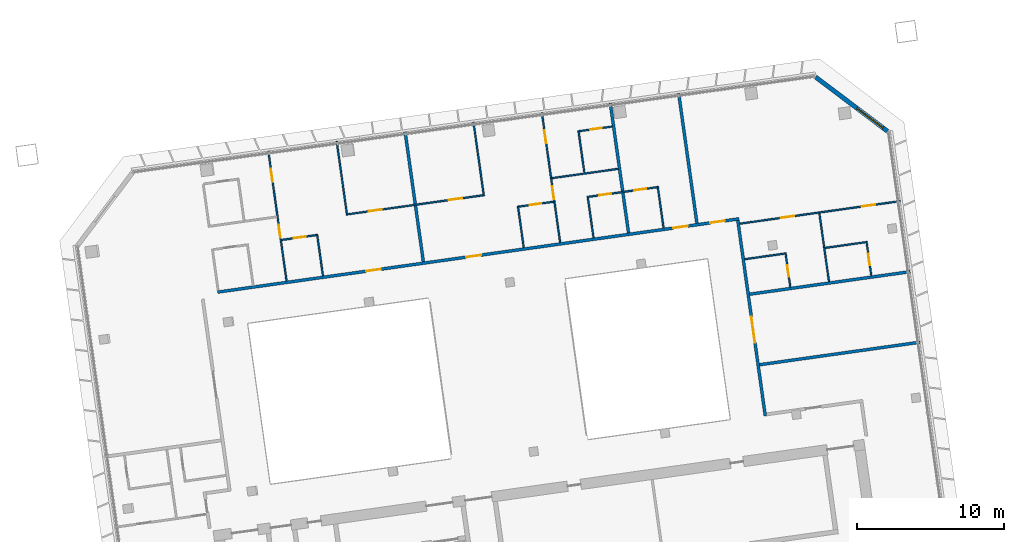
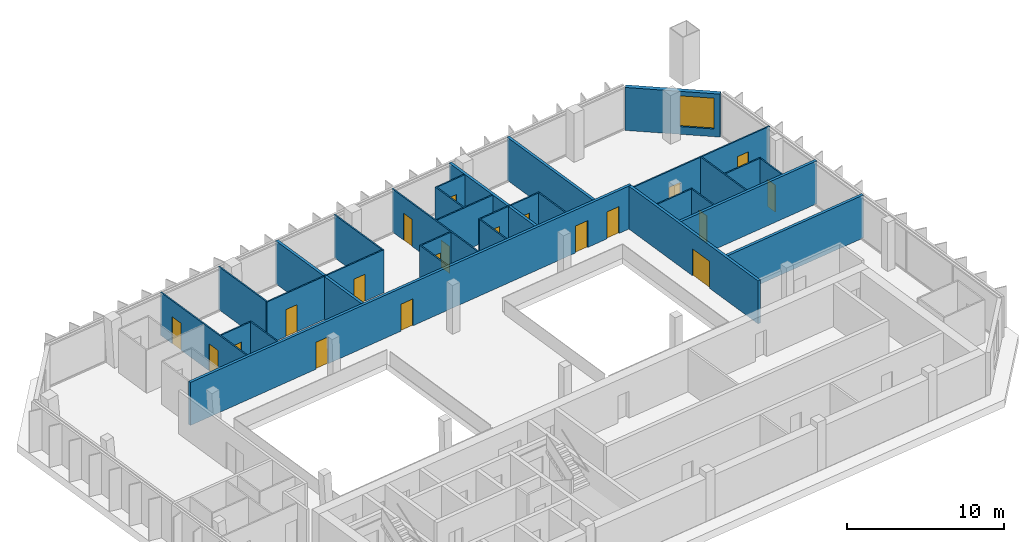
# One storey, part 19 of 22: 29 walls, 20 doors, 1 window, 21 openings.
"""IFC4 building model written with IfcOpenShell, lengths in metres."""

from ifc_helpers import new_model, si_unit, direction, frame, frame_2d, origin, place, context, subcontext, project, spatial, rectangle, extrude, material, layer, layer_set, type_object, element, fill, save


model = new_model("IFC4")

# Units and contexts
model_context = context("Model", 3, precision=1e-05, world=origin(), true_north=direction((0.0, 1.0)))
body_context = subcontext(model_context, "Body", "Model", "MODEL_VIEW")
ifc_project = project(units=[si_unit("LENGTHUNIT", "METRE"), si_unit("AREAUNIT", "SQUARE_METRE"), si_unit("VOLUMEUNIT", "CUBIC_METRE"), si_unit("PLANEANGLEUNIT", "RADIAN"), si_unit("MASSUNIT", "GRAM", prefix="KILO")], contexts=[model_context])

# Site, building, storey
site_placement = place(None, origin())
site = spatial("IfcSite", under=ifc_project, at=site_placement, CompositionType="ELEMENT")
building_placement = place(site_placement, origin())
building = spatial("IfcBuilding", under=site, at=building_placement, Name="Mirante Cascada Hotel Towers", CompositionType="ELEMENT")
storey_placement = place(building_placement, frame((0.0, 0.0, 191.6)))
storey = spatial("IfcBuildingStorey", under=building, at=storey_placement, Name="L45", CompositionType="ELEMENT", Elevation=191.6)

# Walls
ifc_material_1 = material(Name="Fire-rated plasterboard on metal studs")
ifc_layer_1 = layer(ifc_material_1, 0.2)
ifc_layer_set_1 = layer_set([ifc_layer_1], Name="Compartment wall 200 EI 120")
wall_type_1 = type_object("IfcWallType", Name="Compartment wall 200 EI 120", PredefinedType="PARTITIONING", material=ifc_layer_set_1)
wall_1_placement = place(storey_placement, frame((72.5815, 3.9844, 0.0), z_axis=(0.0, 0.0, 1.0), x_axis=(0.9902682, 0.1391721, 0.0)))
element("IfcWall", 1, at=wall_1_placement, inside=storey, type_object=wall_type_1, Name="Wall 2-L45-10", PredefinedType="PARTITIONING", context=body_context, shape_type="SweptSolid", body=[
    extrude(rectangle(XDim=11.0001, YDim=0.2, at=frame_2d((5.5, 0.0))), origin(), (0.0, 0.0, 1.0), 3.35),
])
wall_2_placement = place(storey_placement, frame((82.8018, 10.3016, 0.0), z_axis=(0.0, 0.0, 1.0), x_axis=(-0.990268, -0.1391733, 0.0)))
element("IfcWall", 2, at=wall_2_placement, inside=storey, type_object=wall_type_1, Name="Wall 2-L45-11", PredefinedType="PARTITIONING", context=body_context, shape_type="SweptSolid", body=[
    extrude(rectangle(XDim=11.0, YDim=0.2, at=frame_2d((5.5, 0.0))), origin(), (0.0, 0.0, 1.0), 3.35),
])

# Wall, openings, doors
wall_3_placement = place(storey_placement, frame((71.1898, 13.8871, 0.0), z_axis=(0.0, 0.0, 1.0), x_axis=(-0.9902683, -0.1391713, 0.0)))
wall_3 = element("IfcWall", 3, at=wall_3_placement, inside=storey, type_object=wall_type_1, Name="Wall 2-L45-15", PredefinedType="PARTITIONING", context=body_context, shape_type="SweptSolid", body=[
    extrude(rectangle(XDim=35.7322, YDim=0.2, at=frame_2d((17.8661, 0.0))), origin(), (0.0, 0.0, 1.0), 3.35),
])
opening_1_placement = place(wall_3_placement, frame((24.5615, 0.0, 0.0)))
opening_1 = element("IfcOpeningElement", 4, at=opening_1_placement, cuts=wall_3, Name="Opening D2-L45-06", PredefinedType="OPENING", context=body_context, shape_type="SweptSolid", body=[
    extrude(rectangle(XDim=1.0, YDim=2.1, at=frame_2d((0.5, 1.05))), frame((0.0, 0.1, 0.0), z_axis=(0.0, -1.0, 0.0), x_axis=(1.0, 0.0, 0.0)), (0.0, 0.0, 1.0), 0.2),
])
opening_2_placement = place(wall_3_placement, frame((17.6814, 0.0, 0.0)))
opening_2 = element("IfcOpeningElement", 5, at=opening_2_placement, cuts=wall_3, Name="Opening D2-L45-07", PredefinedType="OPENING", context=body_context, shape_type="SweptSolid", body=[
    extrude(rectangle(XDim=1.0, YDim=2.1, at=frame_2d((0.5, 1.05))), frame((0.0, 0.1, 0.0), z_axis=(0.0, -1.0, 0.0), x_axis=(1.0, 0.0, 0.0)), (0.0, 0.0, 1.0), 0.2),
])
opening_3_placement = place(wall_3_placement, frame((3.5173, 0.0, 0.0)))
opening_3 = element("IfcOpeningElement", 6, at=opening_3_placement, cuts=wall_3, Name="Opening D2-L45-08", PredefinedType="OPENING", context=body_context, shape_type="SweptSolid", body=[
    extrude(rectangle(XDim=1.0, YDim=2.1, at=frame_2d((0.5, 1.05))), frame((0.0, 0.1, 0.0), z_axis=(0.0, -1.0, 0.0), x_axis=(1.0, 0.0, 0.0)), (0.0, 0.0, 1.0), 0.2),
])
opening_4_placement = place(wall_3_placement, frame((0.9869, 0.0, 0.0)))
opening_4 = element("IfcOpeningElement", 7, at=opening_4_placement, cuts=wall_3, Name="Opening D2-L45-09", PredefinedType="OPENING", context=body_context, shape_type="SweptSolid", body=[
    extrude(rectangle(XDim=1.0, YDim=2.1, at=frame_2d((0.5, 1.05))), frame((0.0, 0.1, 0.0), z_axis=(0.0, -1.0, 0.0), x_axis=(1.0, 0.0, 0.0)), (0.0, 0.0, 1.0), 0.2),
])
ifc_material_2 = material(Name="Fire-rated timber door leaf", Category="wood")
door_type_1 = type_object("IfcDoorType", Name="Entrance door DG1 1000x2100 EI 60", OperationType="SINGLE_SWING_LEFT", PredefinedType="DOOR", material=ifc_material_2)
door_1_placement = place(opening_1_placement, frame((1.0, 0.0, 0.0), z_axis=(0.0, 0.0, 1.0), x_axis=(-1.0, 0.0, 0.0)))
door_1 = element("IfcDoor", 8, at=door_1_placement, inside=storey, type_object=door_type_1, Name="Door D2-L45-06", OperationType="SINGLE_SWING_RIGHT", OverallHeight=2.1, OverallWidth=1.0, PredefinedType="DOOR", context=body_context, shape_type="SweptSolid", body=[
    extrude(rectangle(XDim=1.0, YDim=2.1, at=frame_2d((0.5, 1.05))), frame((0.0, 0.025, 0.0), z_axis=(0.0, -1.0, 0.0), x_axis=(1.0, 0.0, 0.0)), (0.0, 0.0, 1.0), 0.05),
])
fill(opening_1, door_1)
door_2_placement = place(opening_2_placement, frame((1.0, 0.0, 0.0), z_axis=(0.0, 0.0, 1.0), x_axis=(-1.0, 0.0, 0.0)))
door_2 = element("IfcDoor", 9, at=door_2_placement, inside=storey, type_object=door_type_1, Name="Door D2-L45-07", OperationType="SINGLE_SWING_RIGHT", OverallHeight=2.1, OverallWidth=1.0, PredefinedType="DOOR", context=body_context, shape_type="SweptSolid", body=[
    extrude(rectangle(XDim=1.0, YDim=2.1, at=frame_2d((0.5, 1.05))), frame((0.0, 0.025, 0.0), z_axis=(0.0, -1.0, 0.0), x_axis=(1.0, 0.0, 0.0)), (0.0, 0.0, 1.0), 0.05),
])
fill(opening_2, door_2)
door_3_placement = place(opening_3_placement, frame((1.0, 0.0, 0.0), z_axis=(0.0, 0.0, 1.0), x_axis=(-1.0, 0.0, 0.0)))
door_3 = element("IfcDoor", 10, at=door_3_placement, inside=storey, type_object=door_type_1, Name="Door D2-L45-08", OperationType="SINGLE_SWING_RIGHT", OverallHeight=2.1, OverallWidth=1.0, PredefinedType="DOOR", context=body_context, shape_type="SweptSolid", body=[
    extrude(rectangle(XDim=1.0, YDim=2.1, at=frame_2d((0.5, 1.05))), frame((0.0, 0.025, 0.0), z_axis=(0.0, -1.0, 0.0), x_axis=(1.0, 0.0, 0.0)), (0.0, 0.0, 1.0), 0.05),
])
fill(opening_3, door_3)
door_4_placement = place(opening_4_placement, frame((1.0, 0.0, 0.0), z_axis=(0.0, 0.0, 1.0), x_axis=(-1.0, 0.0, 0.0)))
door_4 = element("IfcDoor", 11, at=door_4_placement, inside=storey, type_object=door_type_1, Name="Door D2-L45-09", OperationType="SINGLE_SWING_RIGHT", OverallHeight=2.1, OverallWidth=1.0, PredefinedType="DOOR", context=body_context, shape_type="SweptSolid", body=[
    extrude(rectangle(XDim=1.0, YDim=2.1, at=frame_2d((0.5, 1.05))), frame((0.0, 0.025, 0.0), z_axis=(0.0, -1.0, 0.0), x_axis=(1.0, 0.0, 0.0)), (0.0, 0.0, 1.0), 0.05),
])
fill(opening_4, door_4)

# Walls
for number, where, z_axis, x_axis, name in (
    (12, (49.7649, 10.977, 0.0), (0.0, 0.0, 1.0), (-0.1391684, 0.9902687, 0.0), "Wall 2-L45-38"),
    (13, (63.6888, 12.9339, 0.0), (0.0, 0.0, 1.0), (-0.1391794, 0.9902672, 0.0), "Wall 2-L45-44"),
    (14, (68.33, 13.5862, 0.0), (0.0, 0.0, 1.0), (-0.1391684, 0.9902687, 0.0), "Wall 2-L45-46"),
):
    element("IfcWall", number, at=place(storey_placement, frame(where, z_axis=z_axis, x_axis=x_axis)), inside=storey, type_object=wall_type_1, Name=name, PredefinedType="PARTITIONING", context=body_context, shape_type="SweptSolid", body=[
        extrude(rectangle(XDim=8.9, YDim=0.2, at=frame_2d((4.45, 0.0))), origin(), (0.0, 0.0, 1.0), 3.35),
    ])

# Wall, opening, door
wall_4_placement = place(storey_placement, frame((71.1047, 13.7742, 0.0), z_axis=(0.0, 0.0, 1.0), x_axis=(0.1391716, -0.9902683, 0.0)))
wall_4 = element("IfcWall", 15, at=wall_4_placement, inside=storey, type_object=wall_type_1, Name="Wall 2-L45-47", PredefinedType="PARTITIONING", context=body_context, shape_type="SweptSolid", body=[
    extrude(rectangle(XDim=13.4, YDim=0.2, at=frame_2d((6.7, 0.0))), origin(), (0.0, 0.0, 1.0), 3.35),
])
opening_5_placement = place(wall_4_placement, frame((6.5834, 0.0, 0.0)))
opening_5 = element("IfcOpeningElement", 16, at=opening_5_placement, cuts=wall_4, Name="Opening D2-L45-28", PredefinedType="OPENING", context=body_context, shape_type="SweptSolid", body=[
    extrude(rectangle(XDim=1.8, YDim=2.1, at=frame_2d((0.9, 1.05))), frame((0.0, 0.1, 0.0), z_axis=(0.0, -1.0, 0.0), x_axis=(1.0, 0.0, 0.0)), (0.0, 0.0, 1.0), 0.2),
])
ifc_material_3 = material(Name="Fire-rated timber door leaf", Category="wood")
door_type_2 = type_object("IfcDoorType", Name="Suite double door DG2 1800x2100 EI 60", OperationType="DOUBLE_DOOR_SINGLE_SWING", PredefinedType="DOOR", material=ifc_material_3)
door_5_placement = place(opening_5_placement, origin())
door_5 = element("IfcDoor", 17, at=door_5_placement, inside=storey, type_object=door_type_2, Name="Door D2-L45-28", OperationType="DOUBLE_DOOR_SINGLE_SWING", OverallHeight=2.1, OverallWidth=1.8, PredefinedType="DOOR", context=body_context, shape_type="SweptSolid", body=[
    extrude(rectangle(XDim=0.895, YDim=2.1, at=frame_2d((0.4475, 1.05))), frame((0.0, 0.025, 0.0), z_axis=(0.0, -1.0, 0.0), x_axis=(1.0, 0.0, 0.0)), (0.0, 0.0, 1.0), 0.05),
    extrude(rectangle(XDim=0.895, YDim=2.1, at=frame_2d((1.3525, 1.05))), frame((0.0, 0.025, 0.0), z_axis=(0.0, -1.0, 0.0), x_axis=(1.0, 0.0, 0.0)), (0.0, 0.0, 1.0), 0.05),
])
fill(opening_5, door_5)

# Walls
ifc_material_4 = material(Name="Plasterboard on metal studs")
ifc_layer_2 = layer(ifc_material_4, 0.1)
ifc_layer_set_2 = layer_set([ifc_layer_2], Name="Partition 100")
wall_type_2 = type_object("IfcWallType", Name="Partition 100", PredefinedType="PARTITIONING", material=ifc_layer_set_2)
wall_5_placement = place(storey_placement, frame((71.5748, 11.1473, 0.0), z_axis=(0.0, 0.0, 1.0), x_axis=(0.9902656, 0.1391909, 0.0)))
element("IfcWall", 18, at=wall_5_placement, inside=storey, type_object=wall_type_2, Name="Wall 2-L45-12", PredefinedType="PARTITIONING", context=body_context, shape_type="SweptSolid", body=[
    extrude(rectangle(XDim=2.85, YDim=0.1, at=frame_2d((1.425, 0.0))), origin(), (0.0, 0.0, 1.0), 3.35),
])
wall_6_placement = place(storey_placement, frame((79.8931, 12.3164, 0.0), z_axis=(0.0, 0.0, 1.0), x_axis=(-0.9902683, -0.1391714, 0.0)))
element("IfcWall", 19, at=wall_6_placement, inside=storey, type_object=wall_type_2, Name="Wall 2-L45-13", PredefinedType="PARTITIONING", context=body_context, shape_type="SweptSolid", body=[
    extrude(rectangle(XDim=2.9, YDim=0.1, at=frame_2d((1.45, 0.0))), origin(), (0.0, 0.0, 1.0), 3.35),
])

# Wall, openings, doors
wall_7_placement = place(storey_placement, frame((71.2362, 13.5571, 0.0), z_axis=(0.0, 0.0, 1.0), x_axis=(0.990268, 0.1391733, 0.0)))
wall_7 = element("IfcWall", 20, at=wall_7_placement, inside=storey, type_object=wall_type_2, Name="Wall 2-L45-14", PredefinedType="PARTITIONING", context=body_context, shape_type="SweptSolid", body=[
    extrude(rectangle(XDim=11.0, YDim=0.1, at=frame_2d((5.5, 0.0))), origin(), (0.0, 0.0, 1.0), 3.35),
])
opening_6_placement = place(wall_7_placement, frame((2.825, 0.0, 0.0)))
opening_6 = element("IfcOpeningElement", 21, at=opening_6_placement, cuts=wall_7, Name="Opening D2-L45-04", PredefinedType="OPENING", context=body_context, shape_type="SweptSolid", body=[
    extrude(rectangle(XDim=0.9, YDim=2.1, at=frame_2d((0.45, 1.05))), frame((0.0, 0.05, 0.0), z_axis=(0.0, -1.0, 0.0), x_axis=(1.0, 0.0, 0.0)), (0.0, 0.0, 1.0), 0.1),
])
opening_7_placement = place(wall_7_placement, frame((8.375, 0.0, 0.0)))
opening_7 = element("IfcOpeningElement", 22, at=opening_7_placement, cuts=wall_7, Name="Opening D2-L45-05", PredefinedType="OPENING", context=body_context, shape_type="SweptSolid", body=[
    extrude(rectangle(XDim=0.9, YDim=2.1, at=frame_2d((0.45, 1.05))), frame((0.0, 0.05, 0.0), z_axis=(0.0, -1.0, 0.0), x_axis=(1.0, 0.0, 0.0)), (0.0, 0.0, 1.0), 0.1),
])
ifc_material_5 = material(Name="Timber door leaf", Category="wood")
door_type_3 = type_object("IfcDoorType", Name="Room door DG3 900x2100", OperationType="SINGLE_SWING_LEFT", PredefinedType="DOOR", material=ifc_material_5)
door_6_placement = place(opening_6_placement, origin())
door_6 = element("IfcDoor", 23, at=door_6_placement, inside=storey, type_object=door_type_3, Name="Door D2-L45-04", OperationType="SINGLE_SWING_LEFT", OverallHeight=2.1, OverallWidth=0.9, PredefinedType="DOOR", context=body_context, shape_type="SweptSolid", body=[
    extrude(rectangle(XDim=0.9, YDim=2.1, at=frame_2d((0.45, 1.05))), frame((0.0, 0.025, 0.0), z_axis=(0.0, -1.0, 0.0), x_axis=(1.0, 0.0, 0.0)), (0.0, 0.0, 1.0), 0.05),
])
fill(opening_6, door_6)
door_7_placement = place(opening_7_placement, origin())
door_7 = element("IfcDoor", 24, at=door_7_placement, inside=storey, type_object=door_type_3, Name="Door D2-L45-05", OperationType="SINGLE_SWING_LEFT", OverallHeight=2.1, OverallWidth=0.9, PredefinedType="DOOR", context=body_context, shape_type="SweptSolid", body=[
    extrude(rectangle(XDim=0.9, YDim=2.1, at=frame_2d((0.45, 1.05))), frame((0.0, 0.025, 0.0), z_axis=(0.0, -1.0, 0.0), x_axis=(1.0, 0.0, 0.0)), (0.0, 0.0, 1.0), 0.05),
])
fill(opening_7, door_7)

# Wall, opening, door
wall_8_placement = place(storey_placement, frame((42.5126, 12.7853, 0.0), z_axis=(0.0, 0.0, 1.0), x_axis=(-0.9902653, -0.1391927, 0.0)))
wall_8 = element("IfcWall", 25, at=wall_8_placement, inside=storey, type_object=wall_type_2, Name="Wall 2-L45-17", PredefinedType="PARTITIONING", context=body_context, shape_type="SweptSolid", body=[
    extrude(rectangle(XDim=2.3938, YDim=0.1, at=frame_2d((1.1969, 0.0))), origin(), (0.0, 0.0, 1.0), 3.35),
])
opening_8_placement = place(wall_8_placement, frame((0.75, 0.0, 0.0)))
opening_8 = element("IfcOpeningElement", 26, at=opening_8_placement, cuts=wall_8, Name="Opening D2-L45-11", PredefinedType="OPENING", context=body_context, shape_type="SweptSolid", body=[
    extrude(rectangle(XDim=0.8, YDim=2.1, at=frame_2d((0.4, 1.05))), frame((0.0, 0.05, 0.0), z_axis=(0.0, -1.0, 0.0), x_axis=(1.0, 0.0, 0.0)), (0.0, 0.0, 1.0), 0.1),
])
ifc_material_6 = material(Name="Timber door leaf", Category="wood")
door_type_4 = type_object("IfcDoorType", Name="Bathroom door DG4 800x2100", OperationType="SINGLE_SWING_LEFT", PredefinedType="DOOR", material=ifc_material_6)
door_8_placement = place(opening_8_placement, frame((0.8, 0.0, 0.0), z_axis=(0.0, 0.0, 1.0), x_axis=(-1.0, 0.0, 0.0)))
door_8 = element("IfcDoor", 27, at=door_8_placement, inside=storey, type_object=door_type_4, Name="Door D2-L45-11", OperationType="SINGLE_SWING_RIGHT", OverallHeight=2.1, OverallWidth=0.8, PredefinedType="DOOR", context=body_context, shape_type="SweptSolid", body=[
    extrude(rectangle(XDim=0.8, YDim=2.1, at=frame_2d((0.4, 1.05))), frame((0.0, 0.025, 0.0), z_axis=(0.0, -1.0, 0.0), x_axis=(1.0, 0.0, 0.0)), (0.0, 0.0, 1.0), 0.05),
])
fill(opening_8, door_8)

wall_9_placement = place(storey_placement, frame((56.2378, 14.7143, 0.0), z_axis=(0.0, 0.0, 1.0), x_axis=(0.9902711, 0.1391518, 0.0)))
wall_9 = element("IfcWall", 28, at=wall_9_placement, inside=storey, type_object=wall_type_2, Name="Wall 2-L45-18", PredefinedType="PARTITIONING", context=body_context, shape_type="SweptSolid", body=[
    extrude(rectangle(XDim=2.3938, YDim=0.1, at=frame_2d((1.1969, 0.0))), origin(), (0.0, 0.0, 1.0), 3.35),
])
opening_9_placement = place(wall_9_placement, frame((0.75, 0.0, 0.0)))
opening_9 = element("IfcOpeningElement", 29, at=opening_9_placement, cuts=wall_9, Name="Opening D2-L45-12", PredefinedType="OPENING", context=body_context, shape_type="SweptSolid", body=[
    extrude(rectangle(XDim=0.8, YDim=2.1, at=frame_2d((0.4, 1.05))), frame((0.0, 0.05, 0.0), z_axis=(0.0, -1.0, 0.0), x_axis=(1.0, 0.0, 0.0)), (0.0, 0.0, 1.0), 0.1),
])
door_9_placement = place(opening_9_placement, origin())
door_9 = element("IfcDoor", 30, at=door_9_placement, inside=storey, type_object=door_type_4, Name="Door D2-L45-12", OperationType="SINGLE_SWING_LEFT", OverallHeight=2.1, OverallWidth=0.8, PredefinedType="DOOR", context=body_context, shape_type="SweptSolid", body=[
    extrude(rectangle(XDim=0.8, YDim=2.1, at=frame_2d((0.4, 1.05))), frame((0.0, 0.025, 0.0), z_axis=(0.0, -1.0, 0.0), x_axis=(1.0, 0.0, 0.0)), (0.0, 0.0, 1.0), 0.05),
])
fill(opening_9, door_9)

# Wall, openings, doors
wall_10_placement = place(storey_placement, frame((65.7252, 16.0476, 0.0), z_axis=(0.0, 0.0, 1.0), x_axis=(-0.9902694, -0.1391638, 0.0)))
wall_10 = element("IfcWall", 31, at=wall_10_placement, inside=storey, type_object=wall_type_2, Name="Wall 2-L45-19", PredefinedType="PARTITIONING", context=body_context, shape_type="SweptSolid", body=[
    extrude(rectangle(XDim=4.9, YDim=0.1, at=frame_2d((2.45, 0.0))), origin(), (0.0, 0.0, 1.0), 3.35),
])
opening_10_placement = place(wall_10_placement, frame((3.25, 0.0, 0.0)))
opening_10 = element("IfcOpeningElement", 32, at=opening_10_placement, cuts=wall_10, Name="Opening D2-L45-13", PredefinedType="OPENING", context=body_context, shape_type="SweptSolid", body=[
    extrude(rectangle(XDim=0.8, YDim=2.1, at=frame_2d((0.4, 1.05))), frame((0.0, 0.05, 0.0), z_axis=(0.0, -1.0, 0.0), x_axis=(1.0, 0.0, 0.0)), (0.0, 0.0, 1.0), 0.1),
])
opening_11_placement = place(wall_10_placement, frame((0.85, 0.0, 0.0)))
opening_11 = element("IfcOpeningElement", 33, at=opening_11_placement, cuts=wall_10, Name="Opening D2-L45-14", PredefinedType="OPENING", context=body_context, shape_type="SweptSolid", body=[
    extrude(rectangle(XDim=0.8, YDim=2.1, at=frame_2d((0.4, 1.05))), frame((0.0, 0.05, 0.0), z_axis=(0.0, -1.0, 0.0), x_axis=(1.0, 0.0, 0.0)), (0.0, 0.0, 1.0), 0.1),
])
door_10_placement = place(opening_10_placement, origin())
door_10 = element("IfcDoor", 34, at=door_10_placement, inside=storey, type_object=door_type_4, Name="Door D2-L45-13", OperationType="SINGLE_SWING_LEFT", OverallHeight=2.1, OverallWidth=0.8, PredefinedType="DOOR", context=body_context, shape_type="SweptSolid", body=[
    extrude(rectangle(XDim=0.8, YDim=2.1, at=frame_2d((0.4, 1.05))), frame((0.0, 0.025, 0.0), z_axis=(0.0, -1.0, 0.0), x_axis=(1.0, 0.0, 0.0)), (0.0, 0.0, 1.0), 0.05),
])
fill(opening_10, door_10)
door_11_placement = place(opening_11_placement, frame((0.8, 0.0, 0.0), z_axis=(0.0, 0.0, 1.0), x_axis=(-1.0, 0.0, 0.0)))
door_11 = element("IfcDoor", 35, at=door_11_placement, inside=storey, type_object=door_type_4, Name="Door D2-L45-14", OperationType="SINGLE_SWING_RIGHT", OverallHeight=2.1, OverallWidth=0.8, PredefinedType="DOOR", context=body_context, shape_type="SweptSolid", body=[
    extrude(rectangle(XDim=0.8, YDim=2.1, at=frame_2d((0.4, 1.05))), frame((0.0, 0.025, 0.0), z_axis=(0.0, -1.0, 0.0), x_axis=(1.0, 0.0, 0.0)), (0.0, 0.0, 1.0), 0.05),
])
fill(opening_11, door_11)

wall_11_placement = place(storey_placement, frame((44.5312, 14.1798, 0.0), z_axis=(0.0, 0.0, 1.0), x_axis=(0.9902682, 0.1391719, 0.0)))
wall_11 = element("IfcWall", 36, at=wall_11_placement, inside=storey, type_object=wall_type_2, Name="Wall 2-L45-20", PredefinedType="PARTITIONING", context=body_context, shape_type="SweptSolid", body=[
    extrude(rectangle(XDim=9.4739, YDim=0.1, at=frame_2d((4.737, 0.0))), origin(), (0.0, 0.0, 1.0), 3.35),
])
opening_12_placement = place(wall_11_placement, frame((1.537, 0.0, 0.0)))
opening_12 = element("IfcOpeningElement", 37, at=opening_12_placement, cuts=wall_11, Name="Opening D2-L45-15", PredefinedType="OPENING", context=body_context, shape_type="SweptSolid", body=[
    extrude(rectangle(XDim=0.9, YDim=2.1, at=frame_2d((0.45, 1.05))), frame((0.0, 0.05, 0.0), z_axis=(0.0, -1.0, 0.0), x_axis=(1.0, 0.0, 0.0)), (0.0, 0.0, 1.0), 0.1),
])
opening_13_placement = place(wall_11_placement, frame((7.037, 0.0, 0.0)))
opening_13 = element("IfcOpeningElement", 38, at=opening_13_placement, cuts=wall_11, Name="Opening D2-L45-16", PredefinedType="OPENING", context=body_context, shape_type="SweptSolid", body=[
    extrude(rectangle(XDim=0.9, YDim=2.1, at=frame_2d((0.45, 1.05))), frame((0.0, 0.05, 0.0), z_axis=(0.0, -1.0, 0.0), x_axis=(1.0, 0.0, 0.0)), (0.0, 0.0, 1.0), 0.1),
])
door_12_placement = place(opening_12_placement, origin())
door_12 = element("IfcDoor", 39, at=door_12_placement, inside=storey, type_object=door_type_3, Name="Door D2-L45-15", OperationType="SINGLE_SWING_LEFT", OverallHeight=2.1, OverallWidth=0.9, PredefinedType="DOOR", context=body_context, shape_type="SweptSolid", body=[
    extrude(rectangle(XDim=0.9, YDim=2.1, at=frame_2d((0.45, 1.05))), frame((0.0, 0.025, 0.0), z_axis=(0.0, -1.0, 0.0), x_axis=(1.0, 0.0, 0.0)), (0.0, 0.0, 1.0), 0.05),
])
fill(opening_12, door_12)
door_13_placement = place(opening_13_placement, origin())
door_13 = element("IfcDoor", 40, at=door_13_placement, inside=storey, type_object=door_type_3, Name="Door D2-L45-16", OperationType="SINGLE_SWING_LEFT", OverallHeight=2.1, OverallWidth=0.9, PredefinedType="DOOR", context=body_context, shape_type="SweptSolid", body=[
    extrude(rectangle(XDim=0.9, YDim=2.1, at=frame_2d((0.45, 1.05))), frame((0.0, 0.025, 0.0), z_axis=(0.0, -1.0, 0.0), x_axis=(1.0, 0.0, 0.0)), (0.0, 0.0, 1.0), 0.05),
])
fill(opening_13, door_13)

# Wall
wall_12_placement = place(storey_placement, frame((58.4846, 16.6458, 0.0), z_axis=(0.0, 0.0, 1.0), x_axis=(0.9902687, 0.1391684, 0.0)))
element("IfcWall", 41, at=wall_12_placement, inside=storey, type_object=wall_type_2, Name="Wall 2-L45-22", PredefinedType="PARTITIONING", context=body_context, shape_type="SweptSolid", body=[
    extrude(rectangle(XDim=4.537, YDim=0.1, at=frame_2d((2.2685, 0.0))), origin(), (0.0, 0.0, 1.0), 3.35),
])

# Wall, opening, door
wall_13_placement = place(storey_placement, frame((60.3457, 19.8358, 0.0), z_axis=(0.0, 0.0, 1.0), x_axis=(0.9902705, 0.1391561, 0.0)))
wall_13 = element("IfcWall", 42, at=wall_13_placement, inside=storey, type_object=wall_type_2, Name="Wall 2-L45-24", PredefinedType="PARTITIONING", context=body_context, shape_type="SweptSolid", body=[
    extrude(rectangle(XDim=2.25, YDim=0.1, at=frame_2d((1.125, 0.0))), origin(), (0.0, 0.0, 1.0), 3.35),
])
opening_14_placement = place(wall_13_placement, frame((0.75, 0.0, 0.0)))
opening_14 = element("IfcOpeningElement", 43, at=opening_14_placement, cuts=wall_13, Name="Opening D2-L45-18", PredefinedType="OPENING", context=body_context, shape_type="SweptSolid", body=[
    extrude(rectangle(XDim=0.8, YDim=2.1, at=frame_2d((0.4, 1.05))), frame((0.0, 0.05, 0.0), z_axis=(0.0, -1.0, 0.0), x_axis=(1.0, 0.0, 0.0)), (0.0, 0.0, 1.0), 0.1),
])
door_14_placement = place(opening_14_placement, frame((0.8, 0.0, 0.0), z_axis=(0.0, 0.0, 1.0), x_axis=(-1.0, 0.0, 0.0)))
door_14 = element("IfcDoor", 44, at=door_14_placement, inside=storey, type_object=door_type_4, Name="Door D2-L45-18", OperationType="SINGLE_SWING_RIGHT", OverallHeight=2.1, OverallWidth=0.8, PredefinedType="DOOR", context=body_context, shape_type="SweptSolid", body=[
    extrude(rectangle(XDim=0.8, YDim=2.1, at=frame_2d((0.4, 1.05))), frame((0.0, 0.025, 0.0), z_axis=(0.0, -1.0, 0.0), x_axis=(1.0, 0.0, 0.0)), (0.0, 0.0, 1.0), 0.05),
])
fill(opening_14, door_14)

# Wall, openings, doors
wall_14_placement = place(storey_placement, frame((39.2436, 18.4858, 0.0), z_axis=(0.0, 0.0, 1.0), x_axis=(0.1391684, -0.9902687, 0.0)))
wall_14 = element("IfcWall", 45, at=wall_14_placement, inside=storey, type_object=wall_type_2, Name="Wall 2-L45-35", PredefinedType="PARTITIONING", context=body_context, shape_type="SweptSolid", body=[
    extrude(rectangle(XDim=8.9, YDim=0.1, at=frame_2d((4.45, 0.0))), origin(), (0.0, 0.0, 1.0), 3.35),
])
opening_15_placement = place(wall_14_placement, frame((5.05, 0.0, 0.0)))
opening_15 = element("IfcOpeningElement", 46, at=opening_15_placement, cuts=wall_14, Name="Opening D2-L45-24", PredefinedType="OPENING", context=body_context, shape_type="SweptSolid", body=[
    extrude(rectangle(XDim=0.9, YDim=2.1, at=frame_2d((0.45, 1.05))), frame((0.0, 0.05, 0.0), z_axis=(0.0, -1.0, 0.0), x_axis=(1.0, 0.0, 0.0)), (0.0, 0.0, 1.0), 0.1),
])
opening_16_placement = place(wall_14_placement, frame((1.2, 0.0, 0.0)))
opening_16 = element("IfcOpeningElement", 47, at=opening_16_placement, cuts=wall_14, Name="Opening D2-L45-25", PredefinedType="OPENING", context=body_context, shape_type="SweptSolid", body=[
    extrude(rectangle(XDim=0.9, YDim=2.1, at=frame_2d((0.45, 1.05))), frame((0.0, 0.05, 0.0), z_axis=(0.0, -1.0, 0.0), x_axis=(1.0, 0.0, 0.0)), (0.0, 0.0, 1.0), 0.1),
])
door_15_placement = place(opening_15_placement, origin())
door_15 = element("IfcDoor", 48, at=door_15_placement, inside=storey, type_object=door_type_3, Name="Door D2-L45-24", OperationType="SINGLE_SWING_LEFT", OverallHeight=2.1, OverallWidth=0.9, PredefinedType="DOOR", context=body_context, shape_type="SweptSolid", body=[
    extrude(rectangle(XDim=0.9, YDim=2.1, at=frame_2d((0.45, 1.05))), frame((0.0, 0.025, 0.0), z_axis=(0.0, -1.0, 0.0), x_axis=(1.0, 0.0, 0.0)), (0.0, 0.0, 1.0), 0.05),
])
fill(opening_15, door_15)
door_16_placement = place(opening_16_placement, origin())
door_16 = element("IfcDoor", 49, at=door_16_placement, inside=storey, type_object=door_type_3, Name="Door D2-L45-25", OperationType="SINGLE_SWING_LEFT", OverallHeight=2.1, OverallWidth=0.9, PredefinedType="DOOR", context=body_context, shape_type="SweptSolid", body=[
    extrude(rectangle(XDim=0.9, YDim=2.1, at=frame_2d((0.45, 1.05))), frame((0.0, 0.025, 0.0), z_axis=(0.0, -1.0, 0.0), x_axis=(1.0, 0.0, 0.0)), (0.0, 0.0, 1.0), 0.05),
])
fill(opening_16, door_16)

# Walls
wall_15_placement = place(storey_placement, frame((42.9518, 10.0195, 0.0), z_axis=(0.0, 0.0, 1.0), x_axis=(-0.1391909, 0.9902656, 0.0)))
element("IfcWall", 50, at=wall_15_placement, inside=storey, type_object=wall_type_2, Name="Wall 2-L45-36", PredefinedType="PARTITIONING", context=body_context, shape_type="SweptSolid", body=[
    extrude(rectangle(XDim=2.85, YDim=0.1, at=frame_2d((1.425, 0.0))), origin(), (0.0, 0.0, 1.0), 3.35),
])
for number, where, z_axis, x_axis, name in (
    (51, (43.8849, 19.1381, 0.0), (0.0, 0.0, 1.0), (0.1391725, -0.9902682, 0.0), "Wall 2-L45-37"),
    (52, (53.1675, 20.4427, 0.0), (0.0, 0.0, 1.0), (0.1391923, -0.9902654, 0.0), "Wall 2-L45-39"),
):
    element("IfcWall", number, at=place(storey_placement, frame(where, z_axis=z_axis, x_axis=x_axis)), inside=storey, type_object=wall_type_2, Name=name, PredefinedType="PARTITIONING", context=body_context, shape_type="SweptSolid", body=[
        extrude(rectangle(XDim=4.95, YDim=0.1, at=frame_2d((2.475, 0.0))), origin(), (0.0, 0.0, 1.0), 3.35),
    ])
wall_16_placement = place(storey_placement, frame((56.5779, 11.9345, 0.0), z_axis=(0.0, 0.0, 1.0), x_axis=(-0.1391564, 0.9902704, 0.0)))
element("IfcWall", 53, at=wall_16_placement, inside=storey, type_object=wall_type_2, Name="Wall 2-L45-40", PredefinedType="PARTITIONING", context=body_context, shape_type="SweptSolid", body=[
    extrude(rectangle(XDim=2.85, YDim=0.1, at=frame_2d((1.425, 0.0))), origin(), (0.0, 0.0, 1.0), 3.35),
])

# Wall, openings, doors
wall_17_placement = place(storey_placement, frame((57.8088, 21.095, 0.0), z_axis=(0.0, 0.0, 1.0), x_axis=(0.1391794, -0.9902672, 0.0)))
wall_17 = element("IfcWall", 54, at=wall_17_placement, inside=storey, type_object=wall_type_2, Name="Wall 2-L45-41", PredefinedType="PARTITIONING", context=body_context, shape_type="SweptSolid", body=[
    extrude(rectangle(XDim=8.9, YDim=0.1, at=frame_2d((4.45, 0.0))), origin(), (0.0, 0.0, 1.0), 3.35),
])
opening_17_placement = place(wall_17_placement, frame((5.05, 0.0, 0.0)))
opening_17 = element("IfcOpeningElement", 55, at=opening_17_placement, cuts=wall_17, Name="Opening D2-L45-26", PredefinedType="OPENING", context=body_context, shape_type="SweptSolid", body=[
    extrude(rectangle(XDim=0.9, YDim=2.1, at=frame_2d((0.45, 1.05))), frame((0.0, 0.05, 0.0), z_axis=(0.0, -1.0, 0.0), x_axis=(1.0, 0.0, 0.0)), (0.0, 0.0, 1.0), 0.1),
])
opening_18_placement = place(wall_17_placement, frame((1.2, 0.0, 0.0)))
opening_18 = element("IfcOpeningElement", 56, at=opening_18_placement, cuts=wall_17, Name="Opening D2-L45-27", PredefinedType="OPENING", context=body_context, shape_type="SweptSolid", body=[
    extrude(rectangle(XDim=0.9, YDim=2.1, at=frame_2d((0.45, 1.05))), frame((0.0, 0.05, 0.0), z_axis=(0.0, -1.0, 0.0), x_axis=(1.0, 0.0, 0.0)), (0.0, 0.0, 1.0), 0.1),
])
door_17_placement = place(opening_17_placement, frame((0.9, 0.0, 0.0), z_axis=(0.0, 0.0, 1.0), x_axis=(-1.0, 0.0, 0.0)))
door_17 = element("IfcDoor", 57, at=door_17_placement, inside=storey, type_object=door_type_3, Name="Door D2-L45-26", OperationType="SINGLE_SWING_RIGHT", OverallHeight=2.1, OverallWidth=0.9, PredefinedType="DOOR", context=body_context, shape_type="SweptSolid", body=[
    extrude(rectangle(XDim=0.9, YDim=2.1, at=frame_2d((0.45, 1.05))), frame((0.0, 0.025, 0.0), z_axis=(0.0, -1.0, 0.0), x_axis=(1.0, 0.0, 0.0)), (0.0, 0.0, 1.0), 0.05),
])
fill(opening_17, door_17)
door_18_placement = place(opening_18_placement, frame((0.9, 0.0, 0.0), z_axis=(0.0, 0.0, 1.0), x_axis=(-1.0, 0.0, 0.0)))
door_18 = element("IfcDoor", 58, at=door_18_placement, inside=storey, type_object=door_type_3, Name="Door D2-L45-27", OperationType="SINGLE_SWING_RIGHT", OverallHeight=2.1, OverallWidth=0.9, PredefinedType="DOOR", context=body_context, shape_type="SweptSolid", body=[
    extrude(rectangle(XDim=0.9, YDim=2.1, at=frame_2d((0.45, 1.05))), frame((0.0, 0.025, 0.0), z_axis=(0.0, -1.0, 0.0), x_axis=(1.0, 0.0, 0.0)), (0.0, 0.0, 1.0), 0.05),
])
fill(opening_18, door_18)

# Walls
wall_18_placement = place(storey_placement, frame((61.3121, 12.5999, 0.0), z_axis=(0.0, 0.0, 1.0), x_axis=(-0.1391657, 0.9902691, 0.0)))
element("IfcWall", 59, at=wall_18_placement, inside=storey, type_object=wall_type_2, Name="Wall 2-L45-42", PredefinedType="PARTITIONING", context=body_context, shape_type="SweptSolid", body=[
    extrude(rectangle(XDim=2.75, YDim=0.1, at=frame_2d((1.375, 0.0))), origin(), (0.0, 0.0, 1.0), 3.35),
])
wall_19_placement = place(storey_placement, frame((60.2892, 19.8784, 0.0), z_axis=(0.0, 0.0, 1.0), x_axis=(0.1391714, -0.9902683, 0.0)))
element("IfcWall", 60, at=wall_19_placement, inside=storey, type_object=wall_type_2, Name="Wall 2-L45-43", PredefinedType="PARTITIONING", context=body_context, shape_type="SweptSolid", body=[
    extrude(rectangle(XDim=2.9, YDim=0.1, at=frame_2d((1.45, 0.0))), origin(), (0.0, 0.0, 1.0), 3.35),
])
wall_20_placement = place(storey_placement, frame((65.6827, 15.9912, 0.0), z_axis=(0.0, 0.0, 1.0), x_axis=(0.1391607, -0.9902698, 0.0)))
element("IfcWall", 61, at=wall_20_placement, inside=storey, type_object=wall_type_2, Name="Wall 2-L45-45", PredefinedType="PARTITIONING", context=body_context, shape_type="SweptSolid", body=[
    extrude(rectangle(XDim=2.7501, YDim=0.1, at=frame_2d((1.3751, 0.0))), origin(), (0.0, 0.0, 1.0), 3.35),
])

# Wall, opening, door
wall_21_placement = place(storey_placement, frame((74.6677, 9.2594, 0.0), z_axis=(0.0, 0.0, 1.0), x_axis=(-0.1391561, 0.9902705, 0.0)))
wall_21 = element("IfcWall", 62, at=wall_21_placement, inside=storey, type_object=wall_type_2, Name="Wall 2-L45-48", PredefinedType="PARTITIONING", context=body_context, shape_type="SweptSolid", body=[
    extrude(rectangle(XDim=2.25, YDim=0.1, at=frame_2d((1.125, 0.0))), origin(), (0.0, 0.0, 1.0), 3.35),
])
opening_19_placement = place(wall_21_placement, frame((0.7, 0.0, 0.0)))
opening_19 = element("IfcOpeningElement", 63, at=opening_19_placement, cuts=wall_21, Name="Opening D2-L45-29", PredefinedType="OPENING", context=body_context, shape_type="SweptSolid", body=[
    extrude(rectangle(XDim=0.8, YDim=2.1, at=frame_2d((0.4, 1.05))), frame((0.0, 0.05, 0.0), z_axis=(0.0, -1.0, 0.0), x_axis=(1.0, 0.0, 0.0)), (0.0, 0.0, 1.0), 0.1),
])
door_19_placement = place(opening_19_placement, origin())
door_19 = element("IfcDoor", 64, at=door_19_placement, inside=storey, type_object=door_type_4, Name="Door D2-L45-29", OperationType="SINGLE_SWING_LEFT", OverallHeight=2.1, OverallWidth=0.8, PredefinedType="DOOR", context=body_context, shape_type="SweptSolid", body=[
    extrude(rectangle(XDim=0.8, YDim=2.1, at=frame_2d((0.4, 1.05))), frame((0.0, 0.025, 0.0), z_axis=(0.0, -1.0, 0.0), x_axis=(1.0, 0.0, 0.0)), (0.0, 0.0, 1.0), 0.05),
])
fill(opening_19, door_19)

# Wall
wall_22_placement = place(storey_placement, frame((76.6401, 14.266, 0.0), z_axis=(0.0, 0.0, 1.0), x_axis=(0.139173, -0.9902681, 0.0)))
element("IfcWall", 65, at=wall_22_placement, inside=storey, type_object=wall_type_2, Name="Wall 2-L45-49", PredefinedType="PARTITIONING", context=body_context, shape_type="SweptSolid", body=[
    extrude(rectangle(XDim=4.6834, YDim=0.1, at=frame_2d((2.3417, 0.0))), origin(), (0.0, 0.0, 1.0), 3.35),
])

# Wall, opening, door
wall_23_placement = place(storey_placement, frame((80.1637, 10.0318, 0.0), z_axis=(0.0, 0.0, 1.0), x_axis=(-0.1391997, 0.9902643, 0.0)))
wall_23 = element("IfcWall", 66, at=wall_23_placement, inside=storey, type_object=wall_type_2, Name="Wall 2-L45-52", PredefinedType="PARTITIONING", context=body_context, shape_type="SweptSolid", body=[
    extrude(rectangle(XDim=2.25, YDim=0.1, at=frame_2d((1.125, 0.0))), origin(), (0.0, 0.0, 1.0), 3.35),
])
opening_20_placement = place(wall_23_placement, frame((0.7, 0.0, 0.0)))
opening_20 = element("IfcOpeningElement", 67, at=opening_20_placement, cuts=wall_23, Name="Opening D2-L45-30", PredefinedType="OPENING", context=body_context, shape_type="SweptSolid", body=[
    extrude(rectangle(XDim=0.8, YDim=2.1, at=frame_2d((0.4, 1.05))), frame((0.0, 0.05, 0.0), z_axis=(0.0, -1.0, 0.0), x_axis=(1.0, 0.0, 0.0)), (0.0, 0.0, 1.0), 0.1),
])
door_20_placement = place(opening_20_placement, origin())
door_20 = element("IfcDoor", 68, at=door_20_placement, inside=storey, type_object=door_type_4, Name="Door D2-L45-30", OperationType="SINGLE_SWING_LEFT", OverallHeight=2.1, OverallWidth=0.8, PredefinedType="DOOR", context=body_context, shape_type="SweptSolid", body=[
    extrude(rectangle(XDim=0.8, YDim=2.1, at=frame_2d((0.4, 1.05))), frame((0.0, 0.025, 0.0), z_axis=(0.0, -1.0, 0.0), x_axis=(1.0, 0.0, 0.0)), (0.0, 0.0, 1.0), 0.05),
])
fill(opening_20, door_20)

# Wall, opening, window
ifc_material_7 = material(Name="Precast concrete C40/50", Category="concrete")
ifc_layer_3 = layer(ifc_material_7, 0.3)
ifc_layer_set_3 = layer_set([ifc_layer_3], Name="Precast concrete C40/50 cladding wall 300")
wall_type_3 = type_object("IfcWallType", Name="Precast concrete C40/50 cladding wall 300", PredefinedType="STANDARD", material=ifc_layer_set_3)
wall_24_placement = place(storey_placement, frame((81.2671, 19.8291, 0.0), z_axis=(0.0, 0.0, 1.0), x_axis=(-0.7986343, 0.6018167, 0.0)))
wall_24 = element("IfcWall", 69, at=wall_24_placement, inside=storey, type_object=wall_type_3, Name="Corner cladding wall T2 L45 outer front", PredefinedType="STANDARD", context=body_context, shape_type="SweptSolid", body=[
    extrude(rectangle(XDim=6.1158, YDim=0.3, at=frame_2d((3.0579, 0.0))), origin(), (0.0, 0.0, 1.0), 3.35),
])
opening_21_placement = place(wall_24_placement, frame((0.3914, 0.0, 0.6)))
opening_21 = element("IfcOpeningElement", 70, at=opening_21_placement, cuts=wall_24, Name="Opening W2-45-02", PredefinedType="OPENING", context=body_context, shape_type="SweptSolid", body=[
    extrude(rectangle(XDim=2.2, YDim=2.4, at=frame_2d((1.1, 1.2))), frame((0.0, 0.15, 0.0), z_axis=(0.0, -1.0, 0.0), x_axis=(1.0, 0.0, 0.0)), (0.0, 0.0, 1.0), 0.3),
])
ifc_material_8 = material(Name="Aluminium frame with clear double glazing", Category="aluminium")
window_type = type_object("IfcWindowType", Name="Corner suite window 2200x2400", PartitioningType="DOUBLE_PANEL_VERTICAL", PredefinedType="WINDOW", material=ifc_material_8)
window_placement = place(opening_21_placement, origin())
window = element("IfcWindow", 71, at=window_placement, inside=storey, type_object=window_type, Name="Window W2-45-02", OverallHeight=2.4, OverallWidth=2.2, PartitioningType="SINGLE_PANEL", PredefinedType="WINDOW", context=body_context, shape_type="SweptSolid", body=[
    extrude(rectangle(XDim=2.2, YDim=2.4, at=frame_2d((1.1, 1.2))), frame((0.0, 0.03, 0.0), z_axis=(0.0, -1.0, 0.0), x_axis=(1.0, 0.0, 0.0)), (0.0, 0.0, 1.0), 0.06),
])
fill(opening_21, window)

save(model, "model.ifc")
